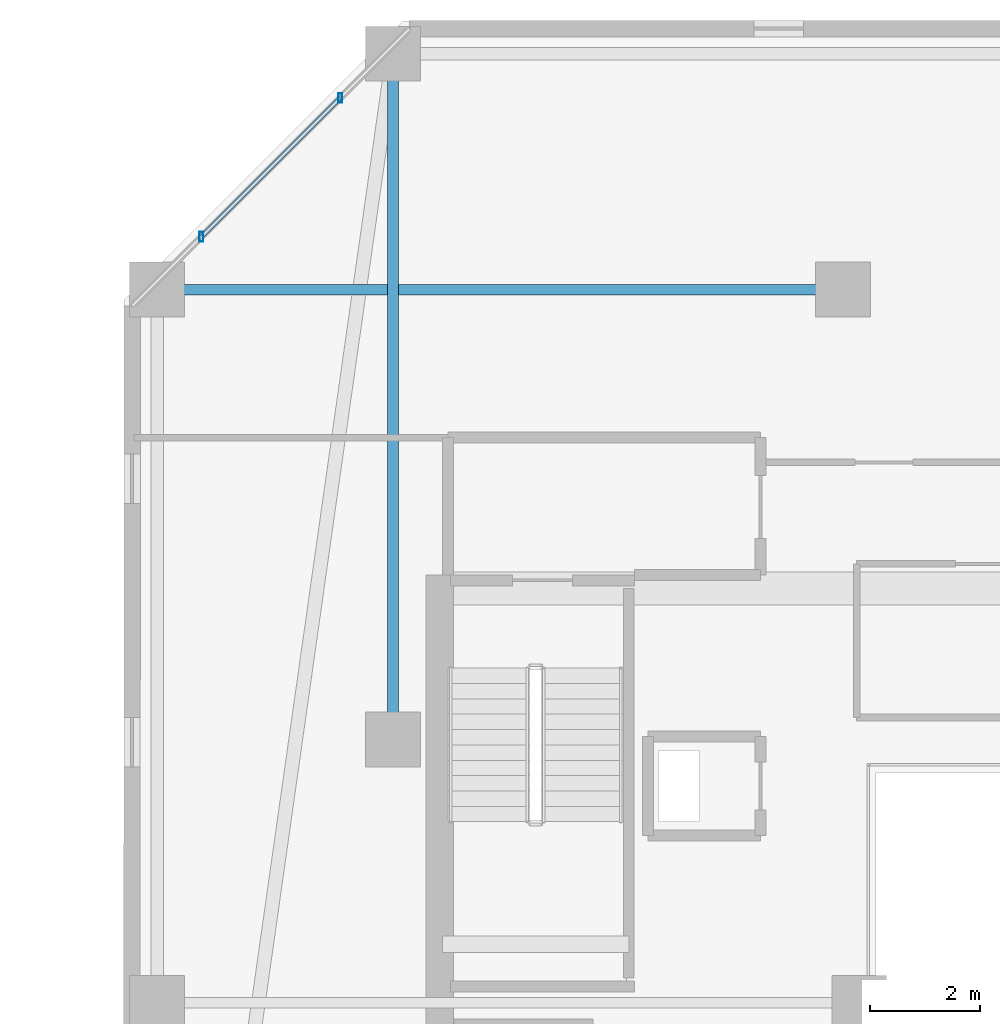
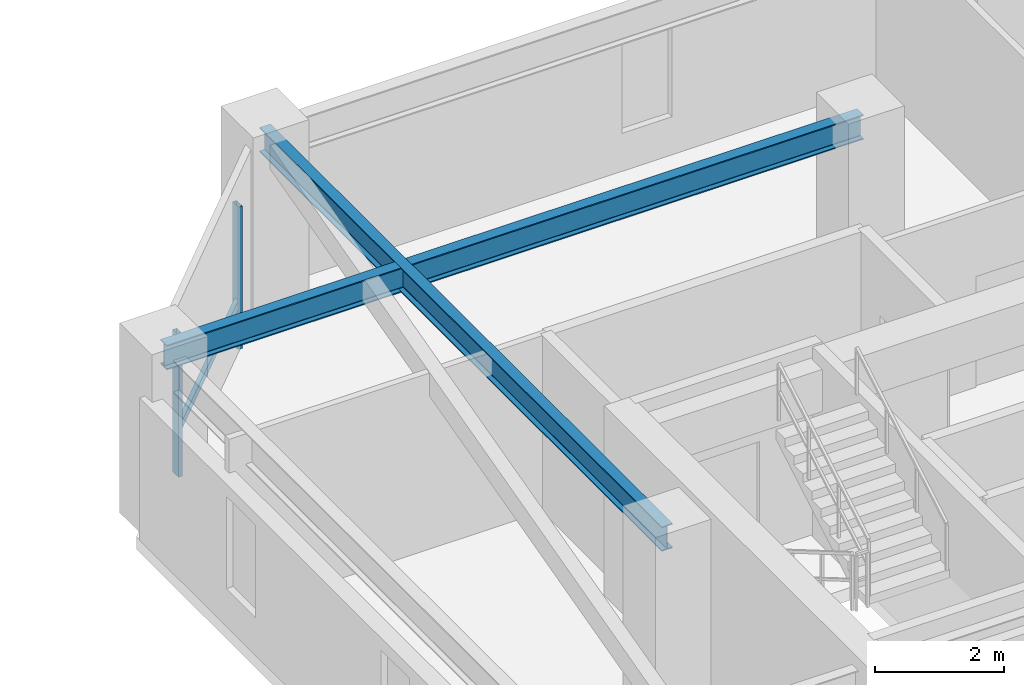
# One storey, part 14 of 32: 3 members, 2 beams, 1 element without a shape of its own.
"""IFC4 building model written with IfcOpenShell, lengths in metres."""

from ifc_helpers import new_model, si_unit, direction, frame, origin, origin_2d, place, context, subcontext, project, spatial, hollow_rectangle, i_section, extrude, material, material_profile, profile_set, type_object, element, aggregate, save


model = new_model("IFC4")

# Units and contexts
model_context = context("Model", 3, precision=1e-05, world=origin(), true_north=direction((0.0, 1.0)))
body_context = subcontext(model_context, "Body", "Model", "MODEL_VIEW")
ifc_project = project(units=[si_unit("LENGTHUNIT", "METRE"), si_unit("AREAUNIT", "SQUARE_METRE"), si_unit("VOLUMEUNIT", "CUBIC_METRE"), si_unit("PLANEANGLEUNIT", "RADIAN"), si_unit("MASSUNIT", "GRAM", prefix="KILO")], contexts=[model_context])

# Site, building, storey
site_placement = place(None, origin())
site = spatial("IfcSite", under=ifc_project, at=site_placement, CompositionType="ELEMENT")
building_placement = place(site_placement, origin())
building = spatial("IfcBuilding", under=site, at=building_placement, Name="Thornwick Lancets Civic Towers", CompositionType="ELEMENT")
storey_placement = place(building_placement, frame((0.0, 0.0, 243.89990234375)))
storey = spatial("IfcBuildingStorey", under=building, at=storey_placement, Name="L65", CompositionType="ELEMENT", Elevation=243.89990234375)

# Beams
ifc_material_1 = material(Name="Steel S355JR", Category="steel")
ifc_material_profile_1 = material_profile(ifc_material_1, i_section(OverallWidth=0.19287109375, OverallDepth=0.46728515625, WebThickness=0.011474609375, FlangeThickness=0.01953125, FilletRadius=0.01025390625, at=origin_2d()), Name="UKB 457x191x98")
ifc_profile_set_1 = profile_set([ifc_material_profile_1], Name="Steel S355JR")
beam_type = type_object("IfcBeamType", Name="BM_JOIST_457_98", PredefinedType="JOIST", material=ifc_profile_set_1)
for number, where, z_axis, x_axis, name in (
    (1, (75.5, 31.800048828125, 3.12646484375), (0.0, 1.0, 0.0), (-1.0, 0.0, 0.0), "BM-RADIN-L65-B06"),
    (2, (83.699951171875, 40.0, 3.12646484375), (-1.0, 0.0, 0.0), (0.0, -1.0, 0.0), "BM-RADIN-L65-B09"),
):
    element("IfcBeam", number, at=place(storey_placement, frame(where, z_axis=z_axis, x_axis=x_axis)), inside=storey, type_object=beam_type, Name=name, PredefinedType="JOIST", context=body_context, shape_type="SweptSolid", body=[
        extrude(i_section(OverallWidth=0.19287109375, OverallDepth=0.46728515625, WebThickness=0.011474609375, FlangeThickness=0.01953125, FilletRadius=0.01025390625, at=origin_2d()), origin(), (0.0, 0.0, 1.0), 12.5),
    ])

# Curtain wall, members
ifc_material_2 = material(Name="High-zone chamfered-corner unitised glass curtain wall", Category="glass")
curtain_wall_type = type_object("IfcCurtainWallType", Name="CW_SYS_05", PredefinedType="NOTDEFINED", material=ifc_material_2)
curtain_wall_placement = place(storey_placement, origin())
curtain_wall = element("IfcCurtainWall", 3, at=curtain_wall_placement, inside=storey, type_object=curtain_wall_type, Name="L65 Curtain Wall CW-L65-B-E5", PredefinedType="NOTDEFINED")
ifc_material_3 = material(Name="Thermally broken bronze aluminium S355", Category="steel")
ifc_material_profile_2 = material_profile(ifc_material_3, hollow_rectangle(XDim=0.074951171875, YDim=0.179931640625, WallThickness=0.006103515625, at=origin_2d()), Name="RHS 180x75x6")
ifc_profile_set_2 = profile_set([ifc_material_profile_2], Name="Thermally broken bronze aluminium S355")
member_type_1 = type_object("IfcMemberType", Name="CW_MUL_180", PredefinedType="MULLION", material=ifc_profile_set_2)
member_1_placement = place(storey_placement, frame((74.5380859375, 43.493896484375, 0.0), z_axis=(0.0, 0.0, 1.0), x_axis=(1.0, 0.0, 0.0)))
member_1 = element("IfcMember", 4, at=member_1_placement, type_object=member_type_1, Name="CW-L65-B-E5 Mullion 0", PredefinedType="MULLION", context=body_context, shape_type="SweptSolid", body=[
    extrude(hollow_rectangle(XDim=0.074951171875, YDim=0.179931640625, WallThickness=0.006103515625, at=origin_2d()), origin(), (0.0, 0.0, 1.0), 2.7001953125),
])
member_2_placement = place(storey_placement, frame((72.006103515625, 40.9619140625, 0.0), z_axis=(0.0, 0.0, 1.0), x_axis=(1.0, 0.0, 0.0)))
member_2 = element("IfcMember", 5, at=member_2_placement, type_object=member_type_1, Name="CW-L65-B-E5 Mullion 1", PredefinedType="MULLION", context=body_context, shape_type="SweptSolid", body=[
    extrude(hollow_rectangle(XDim=0.074951171875, YDim=0.179931640625, WallThickness=0.006103515625, at=origin_2d()), origin(), (0.0, 0.0, 1.0), 2.7001953125),
])
ifc_material_profile_3 = material_profile(ifc_material_3, hollow_rectangle(XDim=0.074951171875, YDim=0.14990234375, WallThickness=0.0048828125, at=origin_2d()), Name="RHS 150x75x5")
ifc_profile_set_3 = profile_set([ifc_material_profile_3], Name="Thermally broken bronze aluminium S355")
member_type_2 = type_object("IfcMemberType", Name="CW_TRN_150", PredefinedType="USERDEFINED", material=ifc_profile_set_3)
member_3_placement = place(storey_placement, frame((74.524169921875, 43.47998046875, 0.85009765625), z_axis=(-0.707106781187, -0.707106781187, 0.0), x_axis=(0.707106781187, -0.707106781187, 0.0)))
member_3 = element("IfcMember", 6, at=member_3_placement, type_object=member_type_2, Name="CW-L65-B-E5 Transom 0", ObjectType="TRANSOM", PredefinedType="USERDEFINED", context=body_context, shape_type="SweptSolid", body=[
    extrude(hollow_rectangle(XDim=0.074951171875, YDim=0.14990234375, WallThickness=0.0048828125, at=origin_2d()), origin(), (0.0, 0.0, 1.0), 3.54150390625),
])
aggregate(curtain_wall, [member_1, member_2, member_3])

save(model, "model.ifc")
